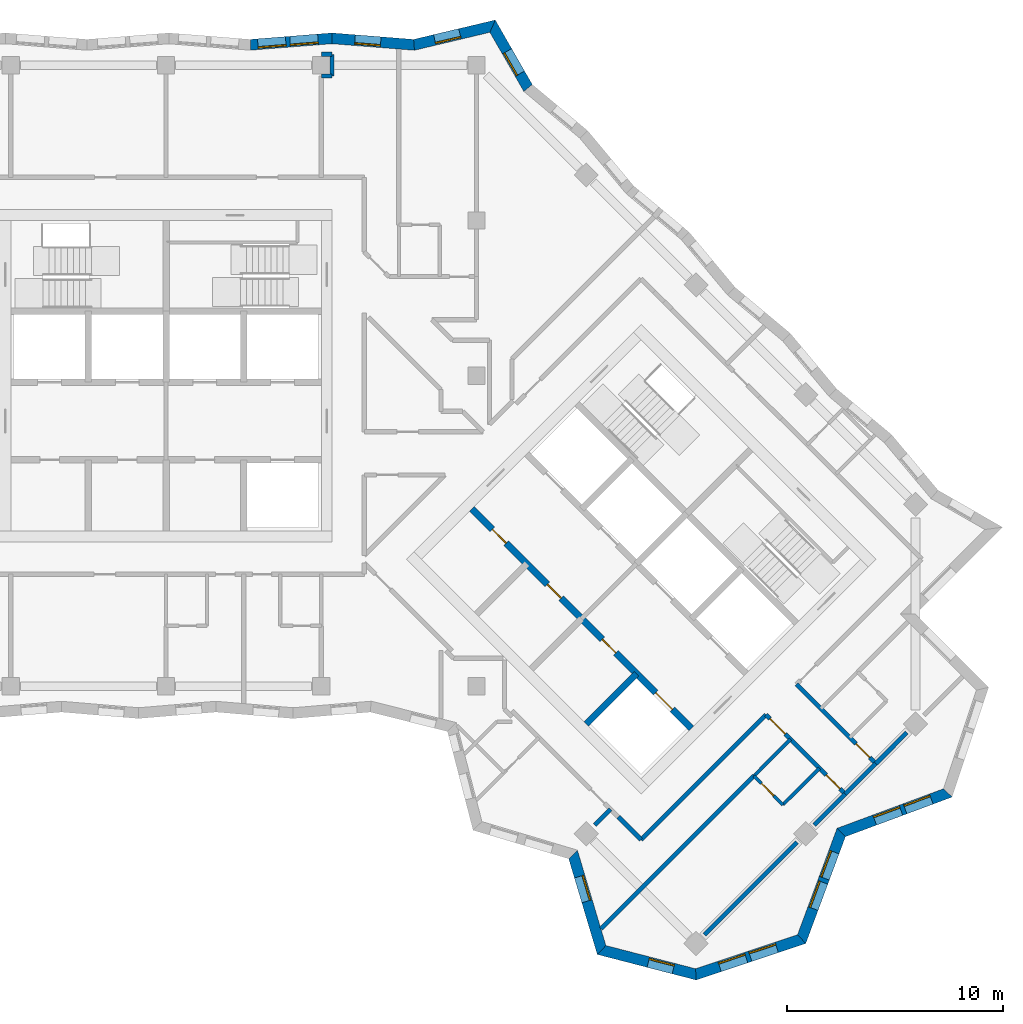
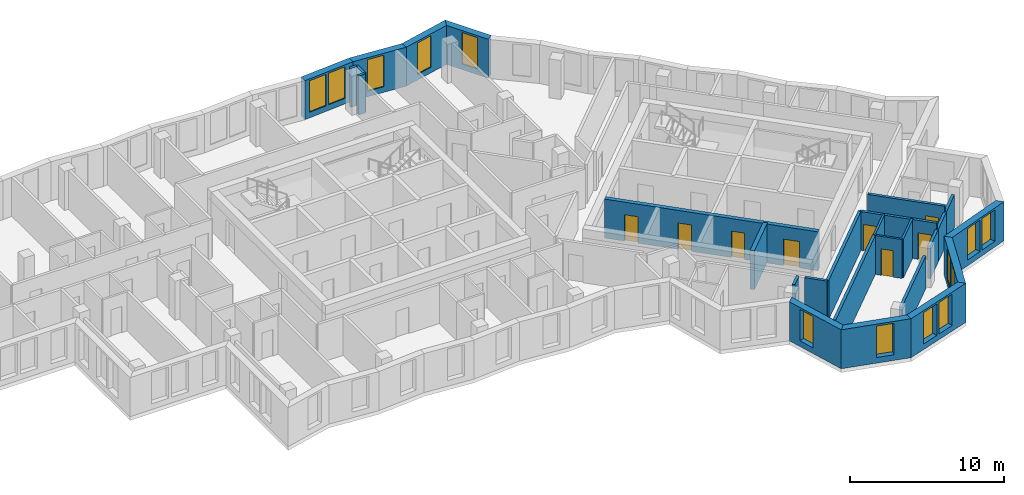
# One storey, part 7 of 11: 27 walls, 13 windows, 8 doors, 21 openings.
"""IFC4 building model written with IfcOpenShell, lengths in metres."""

import ifcopenshell
import ifcopenshell.guid

model = None  # the IFC model being written
_history = None  # IfcOwnerHistory: only IFC2X3 demands one
_inside = {}  # id of a spatial element -> (the spatial element, [elements in it])
_under = {}  # id of a project, library or spatial element -> (it, [spatial elements below it])
_declared = {}  # id of a project -> (the project, [libraries it declares])
_typed = {}  # id of a type object -> (the type object, [elements of that type])
_made_of = {}  # id of a material, layer set ... -> (it, [elements and type objects made of it])


def new_model(schema):
    """Start an empty IFC model of exactly this schema.

    Asked for "IFC4X3", IfcOpenShell would pick the latest addendum, in which some entities
    have other attributes; the version numbers below select the first issue.
    IFC2X3 requires an IfcOwnerHistory on every rooted entity: one is made here for all.
    """
    global model, _history
    if schema == "IFC4X3":
        model = ifcopenshell.file(schema_version=(4, 3, 0, 0))
    else:
        model = ifcopenshell.file(schema=schema)
    _inside.clear()
    _under.clear()
    _declared.clear()
    _typed.clear()
    _made_of.clear()
    _history = None
    if model.schema == "IFC2X3":
        org = make("IfcOrganization", Name="unknown")
        user = make(
            "IfcPersonAndOrganization",
            ThePerson=make("IfcPerson", FamilyName="unknown"),
            TheOrganization=org,
        )
        app = make(
            "IfcApplication",
            ApplicationDeveloper=org,
            Version="unknown",
            ApplicationFullName="unknown",
            ApplicationIdentifier="unknown",
        )
        _history = make(
            "IfcOwnerHistory",
            OwningUser=user,
            OwningApplication=app,
            ChangeAction="ADDED",
            CreationDate=0,
        )
    return model


def make(cls, **values):
    """One entity of the class cls with the attributes given. An attribute that is None is left unset."""
    return model.create_entity(
        cls, **{name: value for name, value in values.items() if value is not None}
    )


def rooted(cls, **values):
    """An entity with a GlobalId (a new one), such as an element, a storey or a relation."""
    return make(cls, GlobalId=ifcopenshell.guid.new(), OwnerHistory=_history, **values)


def si_unit(unit_type, name, prefix=None):
    """IfcSIUnit, for example si_unit("LENGTHUNIT", "METRE", prefix="MILLI")."""
    return make("IfcSIUnit", UnitType=unit_type, Prefix=prefix, Name=name)


def assignment(units):
    """IfcUnitAssignment: the units of a project."""
    return None if units is None else make("IfcUnitAssignment", Units=units)


def point(xyz):
    """IfcCartesianPoint."""
    return None if xyz is None else make("IfcCartesianPoint", Coordinates=xyz)


def direction(xyz):
    """IfcDirection."""
    return None if xyz is None else make("IfcDirection", DirectionRatios=xyz)


def frame(location, z_axis=None, x_axis=None):
    """IfcAxis2Placement3D, a coordinate frame: its origin and axes. An axis left out is left unset."""
    return make(
        "IfcAxis2Placement3D",
        Location=point(location),
        Axis=direction(z_axis),
        RefDirection=direction(x_axis),
    )


def frame_2d(location, x_axis=None):
    """IfcAxis2Placement2D, a coordinate frame in the plane: its origin and x axis."""
    return make(
        "IfcAxis2Placement2D", Location=point(location), RefDirection=direction(x_axis)
    )


def origin():
    """The frame at (0, 0, 0) with its axes left unset."""
    return frame((0.0, 0.0, 0.0))


def place(relative_to, where):
    """IfcLocalPlacement: puts the frame where relative to a parent placement (None: the world)."""
    return make(
        "IfcLocalPlacement", PlacementRelTo=relative_to, RelativePlacement=where
    )


def context(
    kind, dimensions, precision=None, world=None, true_north=None, identifier=None
):
    """IfcGeometricRepresentationContext, for example the 3D "Model" context."""
    return make(
        "IfcGeometricRepresentationContext",
        ContextIdentifier=identifier,
        ContextType=kind,
        CoordinateSpaceDimension=dimensions,
        Precision=precision,
        WorldCoordinateSystem=world,
        TrueNorth=true_north,
    )


def subcontext(parent, identifier, kind, view, scale=None):
    """IfcGeometricRepresentationSubContext, for example "Body" below "Model"."""
    return make(
        "IfcGeometricRepresentationSubContext",
        ContextIdentifier=identifier,
        ContextType=kind,
        ParentContext=parent,
        TargetScale=scale,
        TargetView=view,
    )


def project(units=None, contexts=None):
    """IfcProject with its units and contexts."""
    return rooted(
        "IfcProject",
        Name="project",
        RepresentationContexts=contexts,
        UnitsInContext=assignment(units),
    )


def spatial(cls, under=None, at=None, **own):
    """A site, building, storey or space (cls), placed at a placement, below another one or the project."""
    s = rooted(cls, ObjectPlacement=at, **own)
    if under is not None:
        _under.setdefault(under.id(), (under, []))[1].append(s)
    return s


def polyline(points):
    """IfcPolyline through the points."""
    return make("IfcPolyline", Points=[point(p) for p in points])


def profile(cls, at=None, kind="AREA", **sizes):
    """A parametric profile (cls). Its sizes go by their IFC names, for example OverallWidth=200.0."""
    return make(cls, ProfileType=kind, Position=at, **sizes)


def rectangle(**sizes):
    """IfcRectangleProfileDef."""
    return profile("IfcRectangleProfileDef", **sizes)


def outline(outer, holes=None, kind="AREA"):
    """IfcArbitraryClosedProfileDef: a profile drawn as a closed curve; with holes, ...WithVoids."""
    if holes is None:
        return make("IfcArbitraryClosedProfileDef", ProfileType=kind, OuterCurve=outer)
    return make(
        "IfcArbitraryProfileDefWithVoids",
        ProfileType=kind,
        OuterCurve=outer,
        InnerCurves=holes,
    )


def extrude(swept, where, along, depth):
    """IfcExtrudedAreaSolid: the profile swept, set in the frame where, extruded along a direction by depth."""
    return make(
        "IfcExtrudedAreaSolid",
        SweptArea=swept,
        Position=where,
        ExtrudedDirection=direction(along),
        Depth=depth,
    )


def shape(context_of_items, identifier, shape_type, items):
    """IfcShapeRepresentation: the items that make up one representation, for example the "Body"."""
    return make(
        "IfcShapeRepresentation",
        ContextOfItems=context_of_items,
        RepresentationIdentifier=identifier,
        RepresentationType=shape_type,
        Items=items,
    )


def material(Name=None, Category=None):
    """IfcMaterial."""
    return make("IfcMaterial", Name=Name, Category=Category)


def layer(
    of_material, thickness, ventilated=None, Name=None, Category=None, Priority=None
):
    """IfcMaterialLayer: one layer of a wall or slab, of a material (None: an air gap)."""
    return make(
        "IfcMaterialLayer",
        Material=of_material,
        LayerThickness=thickness,
        IsVentilated=ventilated,
        Name=Name,
        Category=Category,
        Priority=Priority,
    )


def layer_set(layers, Name=None):
    """IfcMaterialLayerSet."""
    return make("IfcMaterialLayerSet", MaterialLayers=layers, LayerSetName=Name)


def made_of(thing, what):
    """Note that an element or type object is made of a material, layer set ...; save() writes the relation."""
    if what is not None:
        _made_of.setdefault(what.id(), (what, []))[1].append(thing)
    return thing


def type_object(cls, material=None, **own):
    """A type object (cls), such as IfcWallType, which elements share."""
    return made_of(rooted(cls, **own), material)


def element(
    cls,
    number,
    at=None,
    inside=None,
    cuts=None,
    type_object=None,
    material=None,
    context=None,
    identifier="Body",
    shape_type=None,
    held_by="IfcProductDefinitionShape",
    body=None,
    shapes=None,
    **own,
):
    """One element of the class cls, such as IfcWall. Its Tag is "e" and its number.

    at: its placement. inside: the storey or other place that contains it. cuts: it is an
    opening in that element (IfcRelVoidsElement). A single representation is given by context,
    identifier, shape_type and body (its items); several are given by shapes. held_by: the class
    of the entity that holds the representations. save() writes the other relations.
    """
    e = rooted(cls, Tag="e%d" % number, ObjectPlacement=at, **own)
    if body is not None:
        shapes = [shape(context, identifier, shape_type, body)]
    if shapes is not None:
        e.Representation = make(held_by, Representations=shapes)
    if inside is not None:
        _inside.setdefault(inside.id(), (inside, []))[1].append(e)
    if cuts is not None:
        rooted(
            "IfcRelVoidsElement", RelatingBuildingElement=cuts, RelatedOpeningElement=e
        )
    if type_object is not None:
        _typed.setdefault(type_object.id(), (type_object, []))[1].append(e)
    return made_of(e, material)


def fill(opening, filler):
    """IfcRelFillsElement: the door or window that sits in an opening."""
    return rooted(
        "IfcRelFillsElement",
        RelatingOpeningElement=opening,
        RelatedBuildingElement=filler,
    )


def aggregate(whole, parts):
    """IfcRelAggregates: a whole, such as a stair, and the parts it consists of."""
    return rooted("IfcRelAggregates", RelatingObject=whole, RelatedObjects=parts)


def save(model, path):
    """Write the relations noted so far, then the file.

    IfcRelAggregates (storeys below a building ...), IfcRelContainedInSpatialStructure (elements
    in a storey), IfcRelDefinesByType, IfcRelAssociatesMaterial and IfcRelDeclares: one each for
    every whole, place, type object, material and project.
    """
    for whole, parts in _under.values():
        aggregate(whole, parts)
    for where, things in _inside.values():
        rooted(
            "IfcRelContainedInSpatialStructure",
            RelatedElements=things,
            RelatingStructure=where,
        )
    for kind, things in _typed.values():
        rooted("IfcRelDefinesByType", RelatedObjects=things, RelatingType=kind)
    for what, things in _made_of.values():
        rooted("IfcRelAssociatesMaterial", RelatedObjects=things, RelatingMaterial=what)
    for by, libraries in _declared.values():
        rooted("IfcRelDeclares", RelatingContext=by, RelatedDefinitions=libraries)
    model.write(path)


model = new_model("IFC4")

# Units and contexts
model_context = context("Model", 3, precision=1e-05, world=origin(), true_north=direction((0.0, 1.0)))
body_context = subcontext(model_context, "Body", "Model", "MODEL_VIEW")
ifc_project = project(units=[si_unit("LENGTHUNIT", "METRE"), si_unit("AREAUNIT", "SQUARE_METRE"), si_unit("VOLUMEUNIT", "CUBIC_METRE"), si_unit("PLANEANGLEUNIT", "RADIAN"), si_unit("MASSUNIT", "GRAM", prefix="KILO")], contexts=[model_context])

# Site, building, storey
site_placement = place(None, origin())
site = spatial("IfcSite", under=ifc_project, at=site_placement, CompositionType="ELEMENT")
building_placement = place(site_placement, origin())
building = spatial("IfcBuilding", under=site, at=building_placement, Name="Windrow Commons", CompositionType="ELEMENT")
storey_placement = place(building_placement, frame((0.0, 0.0, 189.6)))
storey = spatial("IfcBuildingStorey", under=building, at=storey_placement, Name="L51", CompositionType="ELEMENT", Elevation=189.6)

# Wall, openings, windows
ifc_material_1 = material(Name="Brick masonry, red clay brick", Category="masonry")
ifc_layer_1 = layer(ifc_material_1, 0.5)
ifc_layer_set_1 = layer_set([ifc_layer_1], Name="Brick facade wall 500")
wall_type_1 = type_object("IfcWallType", Name="Brick facade wall 500", PredefinedType="SOLIDWALL", material=ifc_layer_set_1)
wall_1_placement = place(storey_placement, frame((89.3734, 29.8341, 0.0), z_axis=(0.0, 0.0, 1.0), x_axis=(0.9486832981, 0.316227766, 0.0)))
wall_1 = element("IfcWall", 1, at=wall_1_placement, inside=storey, type_object=wall_type_1, Name="Brick facade wall L51 1", PredefinedType="SOLIDWALL", context=body_context, shape_type="SweptSolid", body=[
    extrude(outline(polyline([(-0.0739, -0.25), (5.2927, -0.25), (5.0532, 0.25), (0.0739, 0.25), (-0.0739, -0.25)])), origin(), (0.0, 0.0, 1.0), 3.1),
])
opening_1_placement = place(wall_1_placement, frame((1.1579, 0.0, 0.45)))
opening_1 = element("IfcOpeningElement", 2, at=opening_1_placement, cuts=wall_1, Name="Opening W1Q", PredefinedType="OPENING", context=body_context, shape_type="SweptSolid", body=[
    extrude(rectangle(XDim=1.3, YDim=2.5, at=frame_2d((0.65, 1.25))), frame((0.0, 0.26, 0.0), z_axis=(0.0, -1.0, 0.0), x_axis=(1.0, 0.0, 0.0)), (0.0, 0.0, 1.0), 0.52),
])
opening_2_placement = place(wall_1_placement, frame((2.6579, 0.0, 0.45)))
opening_2 = element("IfcOpeningElement", 3, at=opening_2_placement, cuts=wall_1, Name="Opening W1Q", PredefinedType="OPENING", context=body_context, shape_type="SweptSolid", body=[
    extrude(rectangle(XDim=1.3, YDim=2.5, at=frame_2d((0.65, 1.25))), frame((0.0, 0.26, 0.0), z_axis=(0.0, -1.0, 0.0), x_axis=(1.0, 0.0, 0.0)), (0.0, 0.0, 1.0), 0.52),
])
ifc_material_2 = material(Name="Clear float glass in anodised aluminium frame", Category="aluminium")
window_type_1 = type_object("IfcWindowType", Name="Window W1Q pair 1300x2500", PartitioningType="SINGLE_PANEL", PredefinedType="WINDOW", material=ifc_material_2)
window_1_placement = place(opening_1_placement, origin())
window_1 = element("IfcWindow", 4, at=window_1_placement, inside=storey, type_object=window_type_1, Name="Window L51 1.1A", OverallHeight=2.5, OverallWidth=1.3, PartitioningType="SINGLE_PANEL", PredefinedType="WINDOW", context=body_context, shape_type="SweptSolid", body=[
    extrude(rectangle(XDim=1.3, YDim=2.5, at=frame_2d((0.65, 1.25))), frame((0.0, 0.18, 0.0), z_axis=(0.0, -1.0, 0.0), x_axis=(1.0, 0.0, 0.0)), (0.0, 0.0, 1.0), 0.06),
])
fill(opening_1, window_1)
window_2_placement = place(opening_2_placement, origin())
window_2 = element("IfcWindow", 5, at=window_2_placement, inside=storey, type_object=window_type_1, Name="Window L51 1.1B", OverallHeight=2.5, OverallWidth=1.3, PartitioningType="SINGLE_PANEL", PredefinedType="WINDOW", context=body_context, shape_type="SweptSolid", body=[
    extrude(rectangle(XDim=1.3, YDim=2.5, at=frame_2d((0.65, 1.25))), frame((0.0, 0.18, 0.0), z_axis=(0.0, -1.0, 0.0), x_axis=(1.0, 0.0, 0.0)), (0.0, 0.0, 1.0), 0.06),
])
fill(opening_2, window_2)

wall_2_placement = place(storey_placement, frame((94.2808, 31.4699, 0.0), z_axis=(0.0, 0.0, 1.0), x_axis=(0.3481903374, 0.9374238577, 0.0)))
wall_2 = element("IfcWall", 6, at=wall_2_placement, inside=storey, type_object=wall_type_1, Name="Brick facade wall L51 2", PredefinedType="SOLIDWALL", context=body_context, shape_type="SweptSolid", body=[
    extrude(outline(polyline([(-0.1197, -0.25), (5.1604, -0.25), (5.3896, 0.25), (0.1197, 0.25), (-0.1197, -0.25)])), origin(), (0.0, 0.0, 1.0), 3.1),
])
opening_3_placement = place(wall_2_placement, frame((1.5123, 0.0, 0.45)))
opening_3 = element("IfcOpeningElement", 7, at=opening_3_placement, cuts=wall_2, Name="Opening W1Q", PredefinedType="OPENING", context=body_context, shape_type="SweptSolid", body=[
    extrude(rectangle(XDim=1.3, YDim=2.5, at=frame_2d((0.65, 1.25))), frame((0.0, 0.26, 0.0), z_axis=(0.0, -1.0, 0.0), x_axis=(1.0, 0.0, 0.0)), (0.0, 0.0, 1.0), 0.52),
])
opening_4_placement = place(wall_2_placement, frame((3.0123, 0.0, 0.45)))
opening_4 = element("IfcOpeningElement", 8, at=opening_4_placement, cuts=wall_2, Name="Opening W1Q", PredefinedType="OPENING", context=body_context, shape_type="SweptSolid", body=[
    extrude(rectangle(XDim=1.3, YDim=2.5, at=frame_2d((0.65, 1.25))), frame((0.0, 0.26, 0.0), z_axis=(0.0, -1.0, 0.0), x_axis=(1.0, 0.0, 0.0)), (0.0, 0.0, 1.0), 0.52),
])
window_3_placement = place(opening_3_placement, origin())
window_3 = element("IfcWindow", 9, at=window_3_placement, inside=storey, type_object=window_type_1, Name="Window L51 2.1A", OverallHeight=2.5, OverallWidth=1.3, PartitioningType="SINGLE_PANEL", PredefinedType="WINDOW", context=body_context, shape_type="SweptSolid", body=[
    extrude(rectangle(XDim=1.3, YDim=2.5, at=frame_2d((0.65, 1.25))), frame((0.0, 0.18, 0.0), z_axis=(0.0, -1.0, 0.0), x_axis=(1.0, 0.0, 0.0)), (0.0, 0.0, 1.0), 0.06),
])
fill(opening_3, window_3)
window_4_placement = place(opening_4_placement, origin())
window_4 = element("IfcWindow", 10, at=window_4_placement, inside=storey, type_object=window_type_1, Name="Window L51 2.1B", OverallHeight=2.5, OverallWidth=1.3, PartitioningType="SINGLE_PANEL", PredefinedType="WINDOW", context=body_context, shape_type="SweptSolid", body=[
    extrude(rectangle(XDim=1.3, YDim=2.5, at=frame_2d((0.65, 1.25))), frame((0.0, 0.18, 0.0), z_axis=(0.0, -1.0, 0.0), x_axis=(1.0, 0.0, 0.0)), (0.0, 0.0, 1.0), 0.06),
])
fill(opening_4, window_4)

wall_3_placement = place(storey_placement, frame((96.1175, 36.4148, 0.0), z_axis=(0.0, 0.0, 1.0), x_axis=(0.9374238577, 0.3481903374, 0.0)))
wall_3 = element("IfcWall", 11, at=wall_3_placement, inside=storey, type_object=wall_type_1, Name="Brick facade wall L51 3", PredefinedType="SOLIDWALL", context=body_context, shape_type="SweptSolid", body=[
    extrude(outline(polyline([(0.1146, -0.25), (5.3947, -0.25), (5.1552, 0.25), (-0.1146, 0.25), (0.1146, -0.25)])), origin(), (0.0, 0.0, 1.0), 3.1),
])
opening_5_placement = place(wall_3_placement, frame((1.655, 0.0, 0.45)))
opening_5 = element("IfcOpeningElement", 12, at=opening_5_placement, cuts=wall_3, Name="Opening W1Q", PredefinedType="OPENING", context=body_context, shape_type="SweptSolid", body=[
    extrude(rectangle(XDim=1.3, YDim=2.5, at=frame_2d((0.65, 1.25))), frame((0.0, 0.26, 0.0), z_axis=(0.0, -1.0, 0.0), x_axis=(1.0, 0.0, 0.0)), (0.0, 0.0, 1.0), 0.52),
])
opening_6_placement = place(wall_3_placement, frame((3.155, 0.0, 0.45)))
opening_6 = element("IfcOpeningElement", 13, at=opening_6_placement, cuts=wall_3, Name="Opening W1Q", PredefinedType="OPENING", context=body_context, shape_type="SweptSolid", body=[
    extrude(rectangle(XDim=1.3, YDim=2.5, at=frame_2d((0.65, 1.25))), frame((0.0, 0.26, 0.0), z_axis=(0.0, -1.0, 0.0), x_axis=(1.0, 0.0, 0.0)), (0.0, 0.0, 1.0), 0.52),
])
window_5_placement = place(opening_5_placement, origin())
window_5 = element("IfcWindow", 14, at=window_5_placement, inside=storey, type_object=window_type_1, Name="Window L51 3.1A", OverallHeight=2.5, OverallWidth=1.3, PartitioningType="SINGLE_PANEL", PredefinedType="WINDOW", context=body_context, shape_type="SweptSolid", body=[
    extrude(rectangle(XDim=1.3, YDim=2.5, at=frame_2d((0.65, 1.25))), frame((0.0, 0.18, 0.0), z_axis=(0.0, -1.0, 0.0), x_axis=(1.0, 0.0, 0.0)), (0.0, 0.0, 1.0), 0.06),
])
fill(opening_5, window_5)
window_6_placement = place(opening_6_placement, origin())
window_6 = element("IfcWindow", 15, at=window_6_placement, inside=storey, type_object=window_type_1, Name="Window L51 3.1B", OverallHeight=2.5, OverallWidth=1.3, PartitioningType="SINGLE_PANEL", PredefinedType="WINDOW", context=body_context, shape_type="SweptSolid", body=[
    extrude(rectangle(XDim=1.3, YDim=2.5, at=frame_2d((0.65, 1.25))), frame((0.0, 0.18, 0.0), z_axis=(0.0, -1.0, 0.0), x_axis=(1.0, 0.0, 0.0)), (0.0, 0.0, 1.0), 0.06),
])
fill(opening_6, window_6)

# Wall, opening, window
wall_4_placement = place(storey_placement, frame((81.5915, 70.9478, 0.0), z_axis=(0.0, 0.0, 1.0), x_axis=(-0.4979172531, 0.8672245436, 0.0)))
wall_4 = element("IfcWall", 16, at=wall_4_placement, inside=storey, type_object=wall_type_1, Name="Brick facade wall L51 16", PredefinedType="SOLIDWALL", context=body_context, shape_type="SweptSolid", body=[
    extrude(outline(polyline([(0.0447, -0.25), (3.4913, -0.25), (3.1179, 0.25), (-0.0447, 0.25), (0.0447, -0.25)])), origin(), (0.0, 0.0, 1.0), 3.1),
])
opening_7_placement = place(wall_4_placement, frame((0.7613, 0.0, 0.45)))
opening_7 = element("IfcOpeningElement", 17, at=opening_7_placement, cuts=wall_4, Name="Opening W7E", PredefinedType="OPENING", context=body_context, shape_type="SweptSolid", body=[
    extrude(rectangle(XDim=1.2, YDim=2.5, at=frame_2d((0.6, 1.25))), frame((0.0, 0.26, 0.0), z_axis=(0.0, -1.0, 0.0), x_axis=(1.0, 0.0, 0.0)), (0.0, 0.0, 1.0), 0.52),
])
ifc_material_3 = material(Name="Clear float glass in anodised aluminium frame", Category="aluminium")
window_type_2 = type_object("IfcWindowType", Name="Window W7 notch 1200x2500", PartitioningType="SINGLE_PANEL", PredefinedType="WINDOW", material=ifc_material_3)
window_7_placement = place(opening_7_placement, origin())
window_7 = element("IfcWindow", 18, at=window_7_placement, inside=storey, type_object=window_type_2, Name="Window L51 16.1", OverallHeight=2.5, OverallWidth=1.2, PartitioningType="SINGLE_PANEL", PredefinedType="WINDOW", context=body_context, shape_type="SweptSolid", body=[
    extrude(rectangle(XDim=1.2, YDim=2.5, at=frame_2d((0.6, 1.25))), frame((0.0, 0.18, 0.0), z_axis=(0.0, -1.0, 0.0), x_axis=(1.0, 0.0, 0.0)), (0.0, 0.0, 1.0), 0.06),
])
fill(opening_7, window_7)

wall_5_placement = place(storey_placement, frame((79.9461, 73.8136, 0.0), z_axis=(0.0, 0.0, 1.0), x_axis=(-0.9728852584, -0.2312882918, 0.0)))
wall_5 = element("IfcWall", 19, at=wall_5_placement, inside=storey, type_object=wall_type_1, Name="Brick facade wall L51 17", PredefinedType="SOLIDWALL", context=body_context, shape_type="SweptSolid", body=[
    extrude(outline(polyline([(-0.1867, -0.25), (3.7044, -0.25), (3.7832, 0.25), (0.1867, 0.25), (-0.1867, -0.25)])), origin(), (0.0, 0.0, 1.0), 3.1),
])
opening_8_placement = place(wall_5_placement, frame((1.5553, 0.0, 0.45)))
opening_8 = element("IfcOpeningElement", 20, at=opening_8_placement, cuts=wall_5, Name="Opening W7E", PredefinedType="OPENING", context=body_context, shape_type="SweptSolid", body=[
    extrude(rectangle(XDim=1.2, YDim=2.5, at=frame_2d((0.6, 1.25))), frame((0.0, 0.26, 0.0), z_axis=(0.0, -1.0, 0.0), x_axis=(1.0, 0.0, 0.0)), (0.0, 0.0, 1.0), 0.52),
])
window_8_placement = place(opening_8_placement, origin())
window_8 = element("IfcWindow", 21, at=window_8_placement, inside=storey, type_object=window_type_2, Name="Window L51 17.1", OverallHeight=2.5, OverallWidth=1.2, PartitioningType="SINGLE_PANEL", PredefinedType="WINDOW", context=body_context, shape_type="SweptSolid", body=[
    extrude(rectangle(XDim=1.2, YDim=2.5, at=frame_2d((0.6, 1.25))), frame((0.0, 0.18, 0.0), z_axis=(0.0, -1.0, 0.0), x_axis=(1.0, 0.0, 0.0)), (0.0, 0.0, 1.0), 0.06),
])
fill(opening_8, window_8)

wall_6_placement = place(storey_placement, frame((76.3038, 72.9477, 0.0), z_axis=(0.0, 0.0, 1.0), x_axis=(-0.9968755515, 0.0789881945, 0.0)))
wall_6 = element("IfcWall", 22, at=wall_6_placement, inside=storey, type_object=wall_type_1, Name="Brick facade wall L51 18", PredefinedType="SOLIDWALL", context=body_context, shape_type="SweptSolid", body=[
    extrude(outline(polyline([(0.0394, -0.25), (3.8369, -0.25), (3.7972, 0.25), (-0.0394, 0.25), (0.0394, -0.25)])), origin(), (0.0, 0.0, 1.0), 3.1),
])
opening_9_placement = place(wall_6_placement, frame((1.5516, 0.0, 0.45)))
opening_9 = element("IfcOpeningElement", 23, at=opening_9_placement, cuts=wall_6, Name="Opening W7E", PredefinedType="OPENING", context=body_context, shape_type="SweptSolid", body=[
    extrude(rectangle(XDim=1.2, YDim=2.5, at=frame_2d((0.6, 1.25))), frame((0.0, 0.26, 0.0), z_axis=(0.0, -1.0, 0.0), x_axis=(1.0, 0.0, 0.0)), (0.0, 0.0, 1.0), 0.52),
])
window_9_placement = place(opening_9_placement, origin())
window_9 = element("IfcWindow", 24, at=window_9_placement, inside=storey, type_object=window_type_2, Name="Window L51 18.1", OverallHeight=2.5, OverallWidth=1.2, PartitioningType="SINGLE_PANEL", PredefinedType="WINDOW", context=body_context, shape_type="SweptSolid", body=[
    extrude(rectangle(XDim=1.2, YDim=2.5, at=frame_2d((0.6, 1.25))), frame((0.0, 0.18, 0.0), z_axis=(0.0, -1.0, 0.0), x_axis=(1.0, 0.0, 0.0)), (0.0, 0.0, 1.0), 0.06),
])
fill(opening_9, window_9)

# Wall, openings, windows
wall_7_placement = place(storey_placement, frame((72.4987, 73.2492, 0.0), z_axis=(0.0, 0.0, 1.0), x_axis=(-0.9968747806, -0.0789979222, 0.0)))
wall_7 = element("IfcWall", 25, at=wall_7_placement, inside=storey, type_object=wall_type_1, Name="Brick facade wall L51 19", PredefinedType="SOLIDWALL", context=body_context, shape_type="SweptSolid", body=[
    extrude(outline(polyline([(-0.0198, -0.25), (3.7777, -0.25), (3.8173, 0.25), (0.0198, 0.25), (-0.0198, -0.25)])), origin(), (0.0, 0.0, 1.0), 3.1),
])
opening_10_placement = place(wall_7_placement, frame((0.6489, 0.0, 0.45)))
opening_10 = element("IfcOpeningElement", 26, at=opening_10_placement, cuts=wall_7, Name="Opening W1Q", PredefinedType="OPENING", context=body_context, shape_type="SweptSolid", body=[
    extrude(rectangle(XDim=1.3, YDim=2.5, at=frame_2d((0.65, 1.25))), frame((0.0, 0.26, 0.0), z_axis=(0.0, -1.0, 0.0), x_axis=(1.0, 0.0, 0.0)), (0.0, 0.0, 1.0), 0.52),
])
opening_11_placement = place(wall_7_placement, frame((2.1489, 0.0, 0.45)))
opening_11 = element("IfcOpeningElement", 27, at=opening_11_placement, cuts=wall_7, Name="Opening W1Q", PredefinedType="OPENING", context=body_context, shape_type="SweptSolid", body=[
    extrude(rectangle(XDim=1.3, YDim=2.5, at=frame_2d((0.65, 1.25))), frame((0.0, 0.26, 0.0), z_axis=(0.0, -1.0, 0.0), x_axis=(1.0, 0.0, 0.0)), (0.0, 0.0, 1.0), 0.52),
])
window_10_placement = place(opening_10_placement, origin())
window_10 = element("IfcWindow", 28, at=window_10_placement, inside=storey, type_object=window_type_1, Name="Window L51 19.1A", OverallHeight=2.5, OverallWidth=1.3, PartitioningType="SINGLE_PANEL", PredefinedType="WINDOW", context=body_context, shape_type="SweptSolid", body=[
    extrude(rectangle(XDim=1.3, YDim=2.5, at=frame_2d((0.65, 1.25))), frame((0.0, 0.18, 0.0), z_axis=(0.0, -1.0, 0.0), x_axis=(1.0, 0.0, 0.0)), (0.0, 0.0, 1.0), 0.06),
])
fill(opening_10, window_10)
window_11_placement = place(opening_11_placement, origin())
window_11 = element("IfcWindow", 29, at=window_11_placement, inside=storey, type_object=window_type_1, Name="Window L51 19.1B", OverallHeight=2.5, OverallWidth=1.3, PartitioningType="SINGLE_PANEL", PredefinedType="WINDOW", context=body_context, shape_type="SweptSolid", body=[
    extrude(rectangle(XDim=1.3, YDim=2.5, at=frame_2d((0.65, 1.25))), frame((0.0, 0.18, 0.0), z_axis=(0.0, -1.0, 0.0), x_axis=(1.0, 0.0, 0.0)), (0.0, 0.0, 1.0), 0.06),
])
fill(opening_11, window_11)

# Wall, opening, window
wall_8_placement = place(storey_placement, frame((83.6786, 35.3963, 0.0), z_axis=(0.0, 0.0, 1.0), x_axis=(0.2863122647, -0.9581363614, 0.0)))
wall_8 = element("IfcWall", 30, at=wall_8_placement, inside=storey, type_object=wall_type_1, Name="Brick facade wall L51 50", PredefinedType="SOLIDWALL", context=body_context, shape_type="SweptSolid", body=[
    extrude(outline(polyline([(0.135, -0.25), (4.7661, -0.25), (4.484, 0.25), (-0.135, 0.25), (0.135, -0.25)])), origin(), (0.0, 0.0, 1.0), 3.1),
])
opening_12_placement = place(wall_8_placement, frame((1.0636, 0.0, 0.45)))
opening_12 = element("IfcOpeningElement", 31, at=opening_12_placement, cuts=wall_8, Name="Opening W7E", PredefinedType="OPENING", context=body_context, shape_type="SweptSolid", body=[
    extrude(rectangle(XDim=1.2, YDim=2.5, at=frame_2d((0.6, 1.25))), frame((0.0, 0.26, 0.0), z_axis=(0.0, -1.0, 0.0), x_axis=(1.0, 0.0, 0.0)), (0.0, 0.0, 1.0), 0.52),
])
window_12_placement = place(opening_12_placement, origin())
window_12 = element("IfcWindow", 32, at=window_12_placement, inside=storey, type_object=window_type_2, Name="Window L51 50.1", OverallHeight=2.5, OverallWidth=1.2, PartitioningType="SINGLE_PANEL", PredefinedType="WINDOW", context=body_context, shape_type="SweptSolid", body=[
    extrude(rectangle(XDim=1.2, YDim=2.5, at=frame_2d((0.6, 1.25))), frame((0.0, 0.18, 0.0), z_axis=(0.0, -1.0, 0.0), x_axis=(1.0, 0.0, 0.0)), (0.0, 0.0, 1.0), 0.06),
])
fill(opening_12, window_12)

wall_9_placement = place(storey_placement, frame((85.0028, 30.9649, 0.0), z_axis=(0.0, 0.0, 1.0), x_axis=(0.9681215403, -0.2504809037, 0.0)))
wall_9 = element("IfcWall", 33, at=wall_9_placement, inside=storey, type_object=wall_type_1, Name="Brick facade wall L51 51", PredefinedType="SOLIDWALL", context=body_context, shape_type="SweptSolid", body=[
    extrude(outline(polyline([(-0.141, -0.25), (4.5884, -0.25), (4.4405, 0.25), (0.141, 0.25), (-0.141, -0.25)])), origin(), (0.0, 0.0, 1.0), 3.1),
])
opening_13_placement = place(wall_9_placement, frame((2.2419, 0.0, 0.45)))
opening_13 = element("IfcOpeningElement", 34, at=opening_13_placement, cuts=wall_9, Name="Opening W7E", PredefinedType="OPENING", context=body_context, shape_type="SweptSolid", body=[
    extrude(rectangle(XDim=1.2, YDim=2.5, at=frame_2d((0.6, 1.25))), frame((0.0, 0.26, 0.0), z_axis=(0.0, -1.0, 0.0), x_axis=(1.0, 0.0, 0.0)), (0.0, 0.0, 1.0), 0.52),
])
window_13_placement = place(opening_13_placement, origin())
window_13 = element("IfcWindow", 35, at=window_13_placement, inside=storey, type_object=window_type_2, Name="Window L51 51.1", OverallHeight=2.5, OverallWidth=1.2, PartitioningType="SINGLE_PANEL", PredefinedType="WINDOW", context=body_context, shape_type="SweptSolid", body=[
    extrude(rectangle(XDim=1.2, YDim=2.5, at=frame_2d((0.6, 1.25))), frame((0.0, 0.18, 0.0), z_axis=(0.0, -1.0, 0.0), x_axis=(1.0, 0.0, 0.0)), (0.0, 0.0, 1.0), 0.06),
])
fill(opening_13, window_13)

# Wall
ifc_material_4 = material(Name="Blockwork partition", Category="masonry")
ifc_layer_2 = layer(ifc_material_4, 0.2)
ifc_layer_set_2 = layer_set([ifc_layer_2], Name="IW-CORRIDOR-200")
wall_type_2 = type_object("IfcWallType", Name="IW-CORRIDOR-200", PredefinedType="PARTITIONING", material=ifc_layer_set_2)
wall_10_placement = place(storey_placement, frame((86.8351, 36.0789, 0.0), z_axis=(0.0, 0.0, 1.0), x_axis=(0.7071067812, 0.7071067812, 0.0)))
element("IfcWall", 36, at=wall_10_placement, inside=storey, type_object=wall_type_2, Name="W-L51-W009", PredefinedType="PARTITIONING", context=body_context, shape_type="SweptSolid", body=[
    extrude(rectangle(XDim=8.1996, YDim=0.2, at=frame_2d((4.0998, 0.0))), origin(), (0.0, 0.0, 1.0), 3.1),
])

# Wall, opening, door
wall_11_placement = place(storey_placement, frame((94.0471, 43.2871, 0.0), z_axis=(0.0, 0.0, 1.0), x_axis=(0.7071067812, -0.7071067812, 0.0)))
wall_11 = element("IfcWall", 37, at=wall_11_placement, inside=storey, type_object=wall_type_2, Name="W-L51-W034", PredefinedType="PARTITIONING", context=body_context, shape_type="SweptSolid", body=[
    extrude(rectangle(XDim=5.1986, YDim=0.2, at=frame_2d((2.5993, 0.0))), origin(), (0.0, 0.0, 1.0), 3.1),
])
opening_14_placement = place(wall_11_placement, frame((3.8984, 0.0, 0.0)))
opening_14 = element("IfcOpeningElement", 38, at=opening_14_placement, cuts=wall_11, Name="Opening D109S", PredefinedType="OPENING", context=body_context, shape_type="SweptSolid", body=[
    extrude(rectangle(XDim=0.9, YDim=2.1, at=frame_2d((0.45, 1.05))), frame((0.0, 0.11, 0.0), z_axis=(0.0, -1.0, 0.0), x_axis=(1.0, 0.0, 0.0)), (0.0, 0.0, 1.0), 0.22),
])
ifc_material_5 = material(Name="Timber door leaf", Category="wood")
door_type_1 = type_object("IfcDoorType", Name="DT-BEDROOM-900", OperationType="SINGLE_SWING_LEFT", PredefinedType="DOOR", material=ifc_material_5)
door_1_placement = place(opening_14_placement, origin())
door_1 = element("IfcDoor", 39, at=door_1_placement, inside=storey, type_object=door_type_1, Name="D-L51-D041", OperationType="SINGLE_SWING_RIGHT", OverallHeight=2.1, OverallWidth=0.9, PredefinedType="DOOR", context=body_context, shape_type="SweptSolid", body=[
    extrude(rectangle(XDim=0.9, YDim=2.1, at=frame_2d((0.45, 1.05))), frame((0.0, 0.025, 0.0), z_axis=(0.0, -1.0, 0.0), x_axis=(1.0, 0.0, 0.0)), (0.0, 0.0, 1.0), 0.05),
])
fill(opening_14, door_1)

# Wall, openings, doors
wall_12_placement = place(storey_placement, frame((92.6329, 41.8729, 0.0), z_axis=(0.0, 0.0, 1.0), x_axis=(0.7071067812, -0.7071067812, 0.0)))
wall_12 = element("IfcWall", 40, at=wall_12_placement, inside=storey, type_object=wall_type_2, Name="W-L51-W035", PredefinedType="PARTITIONING", context=body_context, shape_type="SweptSolid", body=[
    extrude(rectangle(XDim=5.1986, YDim=0.2, at=frame_2d((2.5993, 0.0))), origin(), (0.0, 0.0, 1.0), 3.1),
])
opening_15_placement = place(wall_12_placement, frame((0.253, 0.0, 0.0)))
opening_15 = element("IfcOpeningElement", 41, at=opening_15_placement, cuts=wall_12, Name="Opening D310F", PredefinedType="OPENING", context=body_context, shape_type="SweptSolid", body=[
    extrude(rectangle(XDim=1.0, YDim=2.1, at=frame_2d((0.5, 1.05))), frame((0.0, 0.11, 0.0), z_axis=(0.0, -1.0, 0.0), x_axis=(1.0, 0.0, 0.0)), (0.0, 0.0, 1.0), 0.22),
])
opening_16_placement = place(wall_12_placement, frame((3.9484, 0.0, 0.0)))
opening_16 = element("IfcOpeningElement", 42, at=opening_16_placement, cuts=wall_12, Name="Opening D109S", PredefinedType="OPENING", context=body_context, shape_type="SweptSolid", body=[
    extrude(rectangle(XDim=0.9, YDim=2.1, at=frame_2d((0.45, 1.05))), frame((0.0, 0.11, 0.0), z_axis=(0.0, -1.0, 0.0), x_axis=(1.0, 0.0, 0.0)), (0.0, 0.0, 1.0), 0.22),
])
ifc_material_6 = material(Name="Timber door leaf", Category="wood")
door_type_2 = type_object("IfcDoorType", Name="DT-AMENITY-1000", OperationType="SINGLE_SWING_LEFT", PredefinedType="DOOR", material=ifc_material_6)
door_2_placement = place(opening_15_placement, origin())
door_2 = element("IfcDoor", 43, at=door_2_placement, inside=storey, type_object=door_type_2, Name="D-L51-D038", OperationType="SINGLE_SWING_RIGHT", OverallHeight=2.1, OverallWidth=1.0, PredefinedType="DOOR", context=body_context, shape_type="SweptSolid", body=[
    extrude(rectangle(XDim=1.0, YDim=2.1, at=frame_2d((0.5, 1.05))), frame((0.0, 0.025, 0.0), z_axis=(0.0, -1.0, 0.0), x_axis=(1.0, 0.0, 0.0)), (0.0, 0.0, 1.0), 0.05),
])
fill(opening_15, door_2)
door_3_placement = place(opening_16_placement, origin())
door_3 = element("IfcDoor", 44, at=door_3_placement, inside=storey, type_object=door_type_1, Name="D-L51-D039", OperationType="SINGLE_SWING_LEFT", OverallHeight=2.1, OverallWidth=0.9, PredefinedType="DOOR", context=body_context, shape_type="SweptSolid", body=[
    extrude(rectangle(XDim=0.9, YDim=2.1, at=frame_2d((0.45, 1.05))), frame((0.0, 0.025, 0.0), z_axis=(0.0, -1.0, 0.0), x_axis=(1.0, 0.0, 0.0)), (0.0, 0.0, 1.0), 0.05),
])
fill(opening_16, door_3)

# Walls
wall_13_placement = place(storey_placement, frame((96.311, 38.201, 0.0), z_axis=(0.0, 0.0, 1.0), x_axis=(0.7071067812, 0.7071067812, 0.0)))
element("IfcWall", 45, at=wall_13_placement, inside=storey, type_object=wall_type_2, Name="W-L51-W101", PredefinedType="PARTITIONING", context=body_context, shape_type="SweptSolid", body=[
    extrude(rectangle(XDim=1.9997, YDim=0.2, at=frame_2d((0.9999, 0.0))), origin(), (0.0, 0.0, 1.0), 2.6),
])
wall_14_placement = place(storey_placement, frame((85.778, 37.142, 0.0), z_axis=(0.0, 0.0, 1.0), x_axis=(0.7064400143, -0.70777292, 0.0)))
element("IfcWall", 46, at=wall_14_placement, inside=storey, type_object=wall_type_2, Name="W-L51-W117", PredefinedType="PARTITIONING", context=body_context, shape_type="SweptSolid", body=[
    extrude(rectangle(XDim=1.5005, YDim=0.2, at=frame_2d((0.7502, 0.0))), origin(), (0.0, 0.0, 1.0), 3.1),
])
ifc_material_7 = material(Name="Blockwork partition", Category="masonry")
ifc_layer_3 = layer(ifc_material_7, 0.15)
ifc_layer_set_3 = layer_set([ifc_layer_3], Name="IW-ENSUITE-150")
wall_type_3 = type_object("IfcWallType", Name="IW-ENSUITE-150", PredefinedType="PARTITIONING", material=ifc_layer_set_3)
for number, where, z_axis, x_axis, name in (
    (47, (92.0722, 39.0458, 0.0), (0.0, 0.0, 1.0), (0.706689978, 0.7075233388, 0.0), "W-L51-W081"),
    (48, (93.4152, 37.7028, 0.0), (0.0, 0.0, 1.0), (0.7075233388, 0.706689978, 0.0), "W-L51-W082"),
):
    element("IfcWall", number, at=place(storey_placement, frame(where, z_axis=z_axis, x_axis=x_axis)), inside=storey, type_object=wall_type_3, Name=name, PredefinedType="PARTITIONING", context=body_context, shape_type="SweptSolid", body=[
        extrude(rectangle(XDim=2.3999, YDim=0.15, at=frame_2d((1.2, 0.0))), origin(), (0.0, 0.0, 1.0), 3.1),
    ])

# Wall, opening, door
wall_15_placement = place(storey_placement, frame((92.0669, 39.0449, 0.0), z_axis=(0.0, 0.0, 1.0), x_axis=(0.7071067812, -0.7071067812, 0.0)))
wall_15 = element("IfcWall", 49, at=wall_15_placement, inside=storey, type_object=wall_type_3, Name="W-L51-W109", PredefinedType="PARTITIONING", context=body_context, shape_type="SweptSolid", body=[
    extrude(rectangle(XDim=1.8979, YDim=0.15, at=frame_2d((0.9489, 0.0))), origin(), (0.0, 0.0, 1.0), 3.1),
])
opening_17_placement = place(wall_15_placement, frame((0.501, 0.0, 0.0)))
opening_17 = element("IfcOpeningElement", 50, at=opening_17_placement, cuts=wall_15, Name="Opening D208N", PredefinedType="OPENING", context=body_context, shape_type="SweptSolid", body=[
    extrude(rectangle(XDim=0.8, YDim=2.1, at=frame_2d((0.4, 1.05))), frame((0.0, 0.085, 0.0), z_axis=(0.0, -1.0, 0.0), x_axis=(1.0, 0.0, 0.0)), (0.0, 0.0, 1.0), 0.17),
])
ifc_material_8 = material(Name="Timber door leaf", Category="wood")
door_type_3 = type_object("IfcDoorType", Name="DT-ENSUITE-800", OperationType="SINGLE_SWING_LEFT", PredefinedType="DOOR", material=ifc_material_8)
door_4_placement = place(opening_17_placement, origin())
door_4 = element("IfcDoor", 51, at=door_4_placement, inside=storey, type_object=door_type_3, Name="D-L51-D040", OperationType="SINGLE_SWING_RIGHT", OverallHeight=2.1, OverallWidth=0.8, PredefinedType="DOOR", context=body_context, shape_type="SweptSolid", body=[
    extrude(rectangle(XDim=0.8, YDim=2.1, at=frame_2d((0.4, 1.05))), frame((0.0, 0.025, 0.0), z_axis=(0.0, -1.0, 0.0), x_axis=(1.0, 0.0, 0.0)), (0.0, 0.0, 1.0), 0.05),
])
fill(opening_17, door_4)

# Walls
ifc_material_9 = material(Name="Blockwork partition", Category="masonry")
ifc_layer_4 = layer(ifc_material_9, 0.2)
ifc_layer_set_4 = layer_set([ifc_layer_4], Name="IW-PARTY-200")
wall_type_4 = type_object("IfcWallType", Name="IW-PARTY-200", PredefinedType="PARTITIONING", material=ifc_layer_set_4)
wall_16_placement = place(storey_placement, frame((84.9707, 31.9454, 0.0), z_axis=(0.0, 0.0, 1.0), x_axis=(0.7072312442, 0.7069822963, 0.0)))
element("IfcWall", 52, at=wall_16_placement, inside=storey, type_object=wall_type_4, Name="W-L51-W005", PredefinedType="PARTITIONING", context=body_context, shape_type="SweptSolid", body=[
    extrude(rectangle(XDim=10.0423, YDim=0.2, at=frame_2d((5.0211, 0.0))), origin(), (0.0, 0.0, 1.0), 3.1),
])
wall_17_placement = place(storey_placement, frame((89.781, 31.671, 0.0), z_axis=(0.0, 0.0, 1.0), x_axis=(0.7071067812, 0.7071067812, 0.0)))
element("IfcWall", 53, at=wall_17_placement, inside=storey, type_object=wall_type_4, Name="W-L51-W023", PredefinedType="PARTITIONING", context=body_context, shape_type="SweptSolid", body=[
    extrude(rectangle(XDim=6.0698, YDim=0.2, at=frame_2d((3.0349, 0.0))), origin(), (0.0, 0.0, 1.0), 2.6),
])
wall_18_placement = place(storey_placement, frame((97.7268, 39.6132, 0.0), z_axis=(0.0, 0.0, 1.0), x_axis=(0.7066152229, 0.7075979979, 0.0)))
element("IfcWall", 54, at=wall_18_placement, inside=storey, type_object=wall_type_4, Name="W-L51-W096", PredefinedType="PARTITIONING", context=body_context, shape_type="SweptSolid", body=[
    extrude(rectangle(XDim=2.0351, YDim=0.2, at=frame_2d((1.0175, 0.0))), origin(), (0.0, 0.0, 1.0), 2.6),
])
wall_19_placement = place(storey_placement, frame((94.873, 36.763, 0.0), z_axis=(0.0, 0.0, 1.0), x_axis=(0.7071067812, 0.7071067812, 0.0)))
element("IfcWall", 55, at=wall_19_placement, inside=storey, type_object=wall_type_4, Name="W-L51-W097", PredefinedType="PARTITIONING", context=body_context, shape_type="SweptSolid", body=[
    extrude(rectangle(XDim=2.0336, YDim=0.2, at=frame_2d((1.0168, 0.0))), origin(), (0.0, 0.0, 1.0), 2.6),
])
wall_20_placement = place(storey_placement, frame((84.6927, 36.7614, 0.0), z_axis=(0.0, 0.0, 1.0), x_axis=(0.7061388061, 0.708073433, 0.0)))
element("IfcWall", 56, at=wall_20_placement, inside=storey, type_object=wall_type_4, Name="W-L51-W121", PredefinedType="PARTITIONING", context=body_context, shape_type="SweptSolid", body=[
    extrude(rectangle(XDim=1.0338, YDim=0.2, at=frame_2d((0.5169, 0.0))), origin(), (0.0, 0.0, 1.0), 3.1),
])
wall_21_placement = place(storey_placement, frame((72.5, 71.496, 0.0), z_axis=(0.0, 0.0, 1.0), x_axis=(0.0, 1.0, 0.0)))
element("IfcWall", 57, at=wall_21_placement, inside=storey, type_object=wall_type_4, Name="W-L51-W123", PredefinedType="PARTITIONING", context=body_context, shape_type="SweptSolid", body=[
    extrude(rectangle(XDim=1.01, YDim=0.2, at=frame_2d((0.505, 0.0))), origin(), (0.0, 0.0, 1.0), 3.1),
])
for number, where, z_axis, x_axis, name in (
    (58, (72.0, 72.51, 0.0), (0.0, 0.0, 1.0), (1.0, 0.0, 0.0), "W-L51-W132"),
    (59, (72.0, 71.5, 0.0), (0.0, 0.0, 1.0), (1.0, 0.0, 0.0), "W-L51-W133"),
):
    element("IfcWall", number, at=place(storey_placement, frame(where, z_axis=z_axis, x_axis=x_axis)), inside=storey, type_object=wall_type_4, Name=name, PredefinedType="PARTITIONING", context=body_context, shape_type="SweptSolid", body=[
        extrude(rectangle(XDim=0.5, YDim=0.2, at=frame_2d((0.25, 0.0))), origin(), (0.0, 0.0, 1.0), 3.1),
    ])
ifc_material_10 = material(Name="Concrete C40/50", Category="concrete")
ifc_layer_5 = layer(ifc_material_10, 0.3)
ifc_layer_set_5 = layer_set([ifc_layer_5], Name="RC SHAFT WALL 300 C40/50")
wall_type_5 = type_object("IfcWallType", Name="RC SHAFT WALL 300 C40/50", PredefinedType="SOLIDWALL", material=ifc_layer_set_5)
wall_22_placement = place(storey_placement, frame((84.2912, 41.453, 0.0), z_axis=(0.0, 0.0, 1.0), x_axis=(0.7071067812, 0.7071067812, 0.0)))
element("IfcWall", 60, at=wall_22_placement, inside=storey, type_object=wall_type_5, Name="Core B wall shaft-S3", PredefinedType="SOLIDWALL", context=body_context, shape_type="SweptSolid", body=[
    extrude(rectangle(XDim=3.2999, YDim=0.3, at=frame_2d((1.65, 0.0))), origin(), (0.0, 0.0, 1.0), 3.1),
])

# Wall, openings, doors
wall_23_placement = place(storey_placement, frame((78.9879, 51.4232, 0.0), z_axis=(0.0, 0.0, 1.0), x_axis=(0.7071067812, -0.7071067812, 0.0)))
wall_23 = element("IfcWall", 61, at=wall_23_placement, inside=storey, type_object=wall_type_5, Name="Core B wall lobby-S", PredefinedType="SOLIDWALL", context=body_context, shape_type="SweptSolid", body=[
    extrude(rectangle(XDim=14.3999, YDim=0.3, at=frame_2d((7.2, 0.0))), origin(), (0.0, 0.0, 1.0), 3.1),
])
opening_18_placement = place(wall_23_placement, frame((1.35, 0.0, 0.0)))
opening_18 = element("IfcOpeningElement", 62, at=opening_18_placement, cuts=wall_23, Name="Opening D8", PredefinedType="OPENING", context=body_context, shape_type="SweptSolid", body=[
    extrude(rectangle(XDim=0.9, YDim=2.1, at=frame_2d((0.45, 1.05))), frame((0.0, 0.16, 0.0), z_axis=(0.0, -1.0, 0.0), x_axis=(1.0, 0.0, 0.0)), (0.0, 0.0, 1.0), 0.32),
])
opening_19_placement = place(wall_23_placement, frame((4.95, 0.0, 0.0)))
opening_19 = element("IfcOpeningElement", 63, at=opening_19_placement, cuts=wall_23, Name="Opening D8", PredefinedType="OPENING", context=body_context, shape_type="SweptSolid", body=[
    extrude(rectangle(XDim=0.9, YDim=2.1, at=frame_2d((0.45, 1.05))), frame((0.0, 0.16, 0.0), z_axis=(0.0, -1.0, 0.0), x_axis=(1.0, 0.0, 0.0)), (0.0, 0.0, 1.0), 0.32),
])
opening_20_placement = place(wall_23_placement, frame((8.55, 0.0, 0.0)))
opening_20 = element("IfcOpeningElement", 64, at=opening_20_placement, cuts=wall_23, Name="Opening D8", PredefinedType="OPENING", context=body_context, shape_type="SweptSolid", body=[
    extrude(rectangle(XDim=0.9, YDim=2.1, at=frame_2d((0.45, 1.05))), frame((0.0, 0.16, 0.0), z_axis=(0.0, -1.0, 0.0), x_axis=(1.0, 0.0, 0.0)), (0.0, 0.0, 1.0), 0.32),
])
opening_21_placement = place(wall_23_placement, frame((12.05, 0.0, 0.0)))
opening_21 = element("IfcOpeningElement", 65, at=opening_21_placement, cuts=wall_23, Name="Opening LD", PredefinedType="OPENING", context=body_context, shape_type="SweptSolid", body=[
    extrude(rectangle(XDim=1.1, YDim=2.1, at=frame_2d((0.55, 1.05))), frame((0.0, 0.16, 0.0), z_axis=(0.0, -1.0, 0.0), x_axis=(1.0, 0.0, 0.0)), (0.0, 0.0, 1.0), 0.32),
])
ifc_material_11 = material(Name="Steel fire door leaf", Category="steel")
door_type_4 = type_object("IfcDoorType", Name="Core store door 900", OperationType="SINGLE_SWING_LEFT", PredefinedType="DOOR", material=ifc_material_11)
door_5_placement = place(opening_18_placement, origin())
door_5 = element("IfcDoor", 66, at=door_5_placement, inside=storey, type_object=door_type_4, Name="Store door", OperationType="SINGLE_SWING_LEFT", OverallHeight=2.1, OverallWidth=0.9, PredefinedType="DOOR", context=body_context, shape_type="SweptSolid", body=[
    extrude(rectangle(XDim=0.9, YDim=2.1, at=frame_2d((0.45, 1.05))), frame((0.0, 0.025, 0.0), z_axis=(0.0, -1.0, 0.0), x_axis=(1.0, 0.0, 0.0)), (0.0, 0.0, 1.0), 0.05),
])
fill(opening_18, door_5)
door_6_placement = place(opening_19_placement, origin())
door_6 = element("IfcDoor", 67, at=door_6_placement, inside=storey, type_object=door_type_4, Name="Store door", OperationType="SINGLE_SWING_LEFT", OverallHeight=2.1, OverallWidth=0.9, PredefinedType="DOOR", context=body_context, shape_type="SweptSolid", body=[
    extrude(rectangle(XDim=0.9, YDim=2.1, at=frame_2d((0.45, 1.05))), frame((0.0, 0.025, 0.0), z_axis=(0.0, -1.0, 0.0), x_axis=(1.0, 0.0, 0.0)), (0.0, 0.0, 1.0), 0.05),
])
fill(opening_19, door_6)
door_7_placement = place(opening_20_placement, origin())
door_7 = element("IfcDoor", 68, at=door_7_placement, inside=storey, type_object=door_type_4, Name="Store door", OperationType="SINGLE_SWING_LEFT", OverallHeight=2.1, OverallWidth=0.9, PredefinedType="DOOR", context=body_context, shape_type="SweptSolid", body=[
    extrude(rectangle(XDim=0.9, YDim=2.1, at=frame_2d((0.45, 1.05))), frame((0.0, 0.025, 0.0), z_axis=(0.0, -1.0, 0.0), x_axis=(1.0, 0.0, 0.0)), (0.0, 0.0, 1.0), 0.05),
])
fill(opening_20, door_7)
ifc_material_12 = material(Name="Stainless steel door leaf", Category="steel")
door_type_5 = type_object("IfcDoorType", Name="Lift landing door 1100", OperationType="SLIDING_TO_LEFT", PredefinedType="DOOR", material=ifc_material_12)
door_8_placement = place(opening_21_placement, origin())
door_8 = element("IfcDoor", 69, at=door_8_placement, inside=storey, type_object=door_type_5, Name="Lift landing door", OperationType="SLIDING_TO_RIGHT", OverallHeight=2.1, OverallWidth=1.1, PredefinedType="DOOR", context=body_context, shape_type="SweptSolid", body=[
    extrude(rectangle(XDim=1.1, YDim=2.1, at=frame_2d((0.55, 1.05))), frame((0.0, 0.025, 0.0), z_axis=(0.0, -1.0, 0.0), x_axis=(1.0, 0.0, 0.0)), (0.0, 0.0, 1.0), 0.05),
])
fill(opening_21, door_8)

save(model, "model.ifc")
